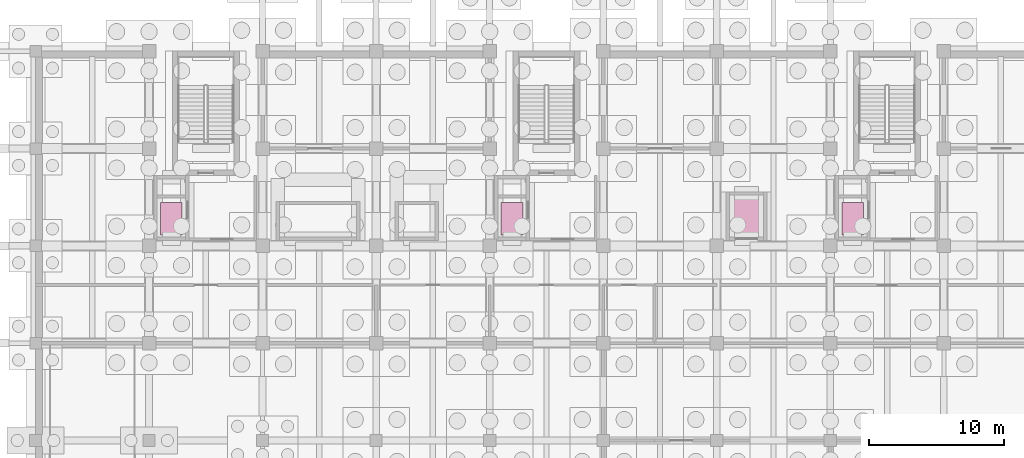
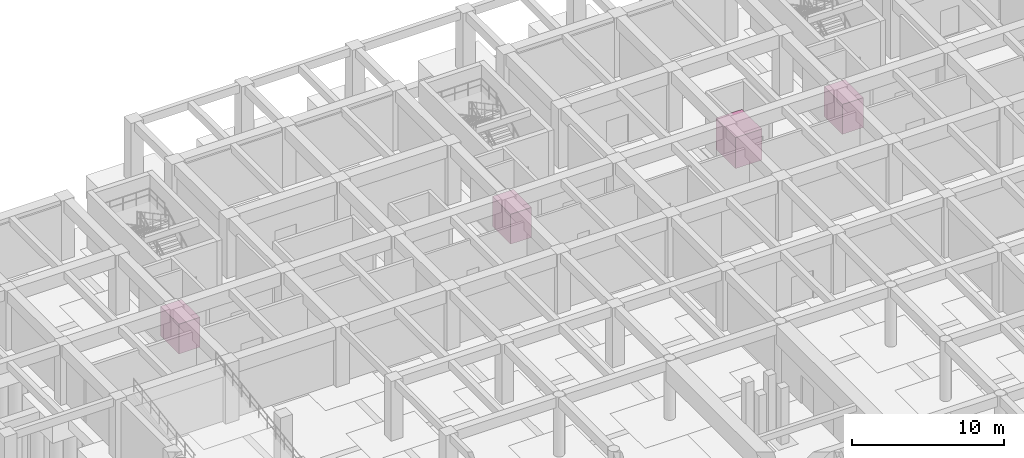
# One storey, part 26 of 26: 4 transport elements.
"""IFC4 building model written with IfcOpenShell, lengths in metres."""

from ifc_helpers import new_model, si_unit, direction, frame, origin, origin_2d, place, context, subcontext, project, spatial, rectangle, extrude, material, type_object, element, save


model = new_model("IFC4")

# Units and contexts
model_context = context("Model", 3, precision=1e-05, world=origin(), true_north=direction((0.0, 1.0)))
body_context = subcontext(model_context, "Body", "Model", "MODEL_VIEW")
ifc_project = project(units=[si_unit("LENGTHUNIT", "METRE"), si_unit("AREAUNIT", "SQUARE_METRE"), si_unit("VOLUMEUNIT", "CUBIC_METRE"), si_unit("PLANEANGLEUNIT", "RADIAN"), si_unit("MASSUNIT", "GRAM", prefix="KILO")], contexts=[model_context])

# Site, building, storey
site_placement = place(None, origin())
site = spatial("IfcSite", under=ifc_project, at=site_placement, CompositionType="ELEMENT")
building_placement = place(site_placement, origin())
building = spatial("IfcBuilding", under=site, at=building_placement, Name="Kenerak Square Central Library", CompositionType="ELEMENT")
storey_placement = place(building_placement, frame((0.0, 0.0, -4.800048828125)))
storey = spatial("IfcBuildingStorey", under=building, at=storey_placement, Name="B1", CompositionType="ELEMENT", Elevation=-4.800048828125)

# Transport elements
ifc_material = material(Name="Steel S355", Category="steel")
transport_element_type_1 = type_object("IfcTransportElementType", Name="Firefighting Stretcher Lift Car 1600x2400 1600kg", PredefinedType="ELEVATOR", material=ifc_material)
for number, where, z_axis, x_axis, name in (
    (1, (60.050048828125, 98.0, 0.0), (0.0, 0.0, 1.0), (1.0, 0.0, 0.0), "Elevator Car FL-01"),
    (2, (85.25, 98.0, 0.0), (0.0, 0.0, 1.0), (1.0, 0.0, 0.0), "Elevator Car FL-02"),
    (3, (110.449951171875, 98.0, 0.0), (0.0, 0.0, 1.0), (1.0, 0.0, 0.0), "Elevator Car FL-03"),
):
    element("IfcTransportElement", number, at=place(storey_placement, frame(where, z_axis=z_axis, x_axis=x_axis)), inside=storey, type_object=transport_element_type_1, Name=name, PredefinedType="ELEVATOR", context=body_context, shape_type="SweptSolid", body=[
        extrude(rectangle(XDim=1.60009765625, YDim=2.39990234375, at=origin_2d()), origin(), (0.0, 0.0, 1.0), 2.39990234375),
    ])
transport_element_type_2 = type_object("IfcTransportElementType", Name="Heavy Archival Goods Lift Car 2000x2600 2500kg", PredefinedType="ELEVATOR", material=ifc_material)
transport_element_placement = place(storey_placement, frame((102.60009765625, 98.199951171875, 0.0), z_axis=(0.0, 0.0, 1.0), x_axis=(1.0, 0.0, 0.0)))
element("IfcTransportElement", 4, at=transport_element_placement, inside=storey, type_object=transport_element_type_2, Name="Elevator Car GL-01", PredefinedType="ELEVATOR", context=body_context, shape_type="SweptSolid", body=[
    extrude(rectangle(XDim=2.0, YDim=2.60009765625, at=origin_2d()), origin(), (0.0, 0.0, 1.0), 2.5),
])

save(model, "model.ifc")
